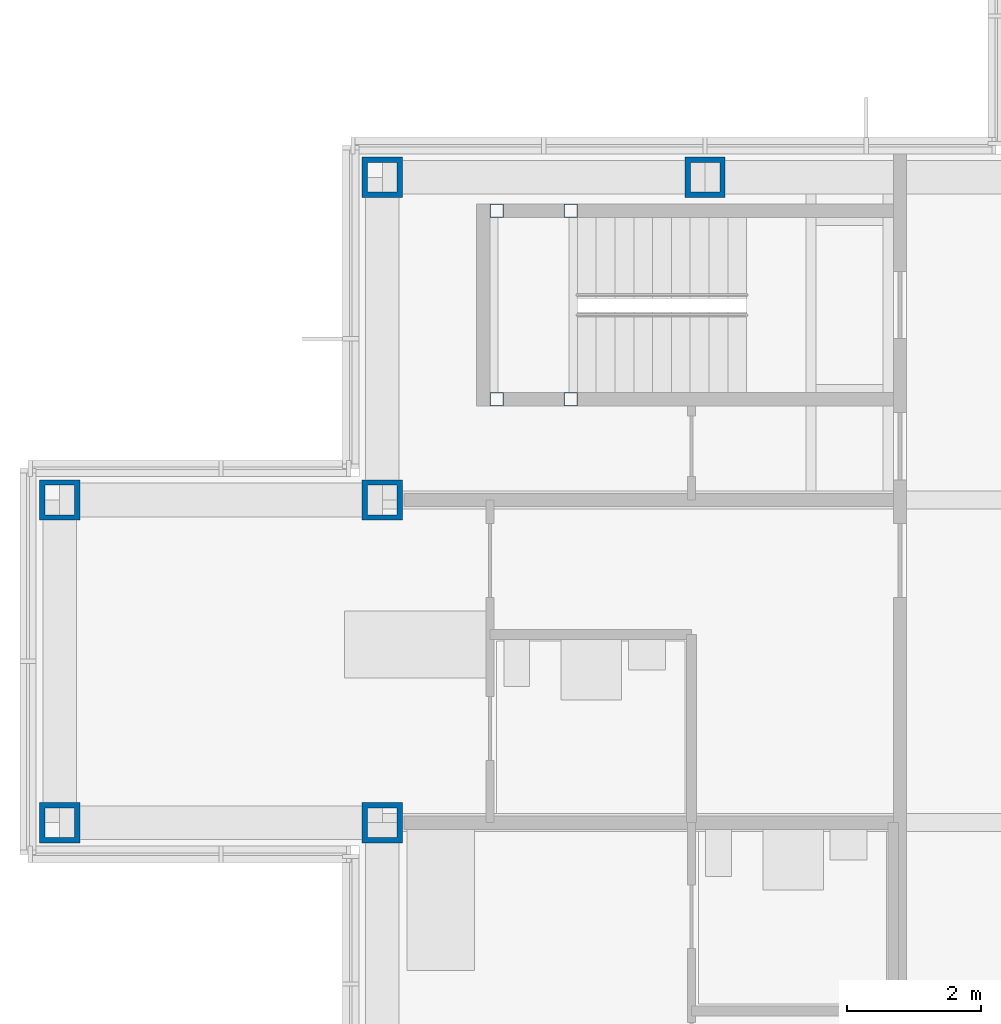
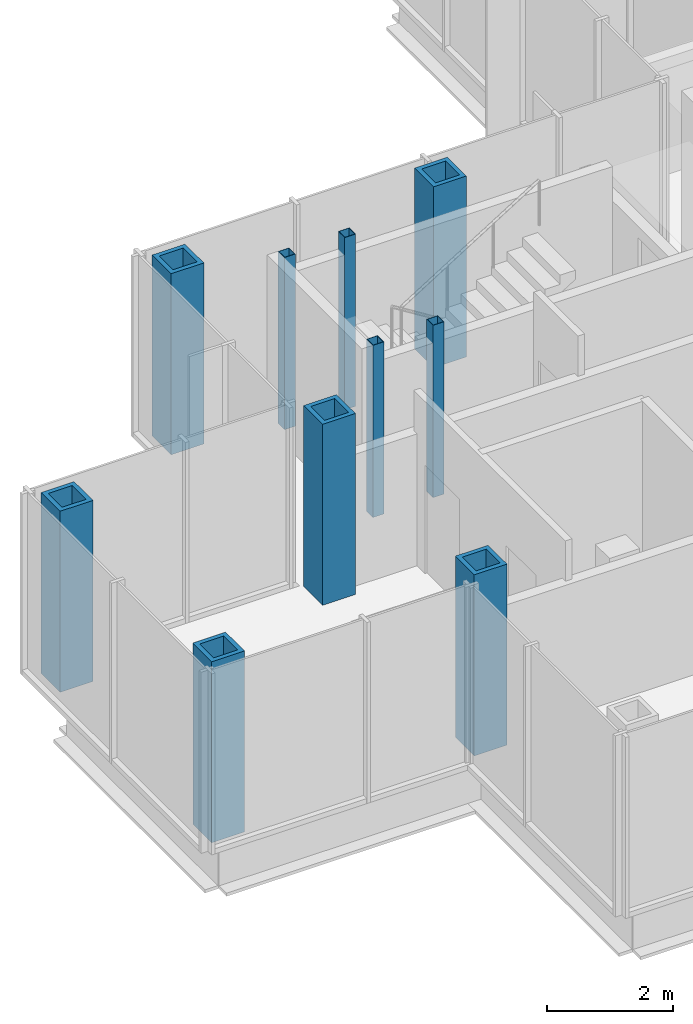
# One storey, part 3 of 17: 10 columns.
"""IFC4 building model written with IfcOpenShell, lengths in metres."""

from ifc_helpers import new_model, si_unit, direction, frame, origin, origin_2d, place, context, subcontext, project, spatial, hollow_rectangle, extrude, material, material_profile, profile_set, type_object, element, save


model = new_model("IFC4")

# Units and contexts
model_context = context("Model", 3, precision=1e-05, world=origin(), true_north=direction((0.0, 1.0)))
body_context = subcontext(model_context, "Body", "Model", "MODEL_VIEW")
ifc_project = project(units=[si_unit("LENGTHUNIT", "METRE"), si_unit("AREAUNIT", "SQUARE_METRE"), si_unit("VOLUMEUNIT", "CUBIC_METRE"), si_unit("PLANEANGLEUNIT", "RADIAN"), si_unit("MASSUNIT", "GRAM", prefix="KILO")], contexts=[model_context])

# Site, building, storey
site_placement = place(None, origin())
site = spatial("IfcSite", under=ifc_project, at=site_placement, CompositionType="ELEMENT")
building_placement = place(site_placement, origin())
building = spatial("IfcBuilding", under=site, at=building_placement, Name="Kvirike Care Tower", CompositionType="ELEMENT")
storey_placement = place(building_placement, frame((0.0, 0.0, 148.0)))
storey = spatial("IfcBuildingStorey", under=building, at=storey_placement, Name="L40", CompositionType="ELEMENT", Elevation=148.0)

# Columns
ifc_material_1 = material(Name="Steel S460", Category="steel")
ifc_material_profile_1 = material_profile(ifc_material_1, hollow_rectangle(XDim=0.60009765625, YDim=0.60009765625, WallThickness=0.080078125, at=origin_2d()), Name="BX 600x600x80")
ifc_profile_set_1 = profile_set([ifc_material_profile_1], Name="Steel S460")
column_type_1 = type_object("IfcColumnType", Name="COLUMN BX 600x600x80", PredefinedType="COLUMN", material=ifc_profile_set_1)
for number, where, z_axis, x_axis, name in (
    (1, (0.0, 33.60009765625, 0.0), (0.0, 0.0, 1.0), (0.0, 1.0, 0.0), "Column H3 L40"),
    (2, (0.0, 38.39990234375, 0.0), (0.0, 0.0, 1.0), (0.0, 1.0, 0.0), "Column J3 L40"),
    (3, (4.800048828125, 33.60009765625, 0.0), (0.0, 0.0, 1.0), (0.0, 1.0, 0.0), "Column H4 L40"),
    (4, (4.800048828125, 38.39990234375, 0.0), (0.0, 0.0, 1.0), (0.0, 1.0, 0.0), "Column J4 L40"),
    (5, (4.800048828125, 43.199951171875, 0.0), (0.0, 0.0, 1.0), (0.0, 1.0, 0.0), "Column K4 L40"),
    (6, (9.60009765625, 43.199951171875, 0.0), (0.0, 0.0, 1.0), (0.0, 1.0, 0.0), "Column K5 L40"),
):
    element("IfcColumn", number, at=place(storey_placement, frame(where, z_axis=z_axis, x_axis=x_axis)), inside=storey, type_object=column_type_1, Name=name, PredefinedType="COLUMN", context=body_context, shape_type="SweptSolid", body=[
        extrude(hollow_rectangle(XDim=0.60009765625, YDim=0.60009765625, WallThickness=0.080078125, at=origin_2d()), origin(), (0.0, 0.0, 1.0), 3.5),
    ])
ifc_material_2 = material(Name="Steel S460", Category="steel")
ifc_material_profile_2 = material_profile(ifc_material_2, hollow_rectangle(XDim=0.199951171875, YDim=0.199951171875, WallThickness=0.008056640625, at=origin_2d()), Name="SHS 200x200x8")
ifc_profile_set_2 = profile_set([ifc_material_profile_2], Name="Steel S460")
column_type_2 = type_object("IfcColumnType", Name="STAIR POST SHS 200x200x8", PredefinedType="COLUMN", material=ifc_profile_set_2)
for number, where, z_axis, x_axis, name in (
    (7, (6.5, 42.699951171875, 0.0), (0.0, 0.0, 1.0), (1.0, 0.0, 0.0), "Stair 1 post 1 L40"),
    (8, (6.5, 39.89990234375, 0.0), (0.0, 0.0, 1.0), (1.0, 0.0, 0.0), "Stair 1 post 2 L40"),
    (9, (7.60009765625, 42.699951171875, 0.0), (0.0, 0.0, 1.0), (1.0, 0.0, 0.0), "Stair 1 post 3 L40"),
    (10, (7.60009765625, 39.89990234375, 0.0), (0.0, 0.0, 1.0), (1.0, 0.0, 0.0), "Stair 1 post 4 L40"),
):
    element("IfcColumn", number, at=place(storey_placement, frame(where, z_axis=z_axis, x_axis=x_axis)), inside=storey, type_object=column_type_2, Name=name, PredefinedType="COLUMN", context=body_context, shape_type="SweptSolid", body=[
        extrude(hollow_rectangle(XDim=0.199951171875, YDim=0.199951171875, WallThickness=0.008056640625, at=origin_2d()), origin(), (0.0, 0.0, 1.0), 3.330078125),
    ])

save(model, "model.ifc")
